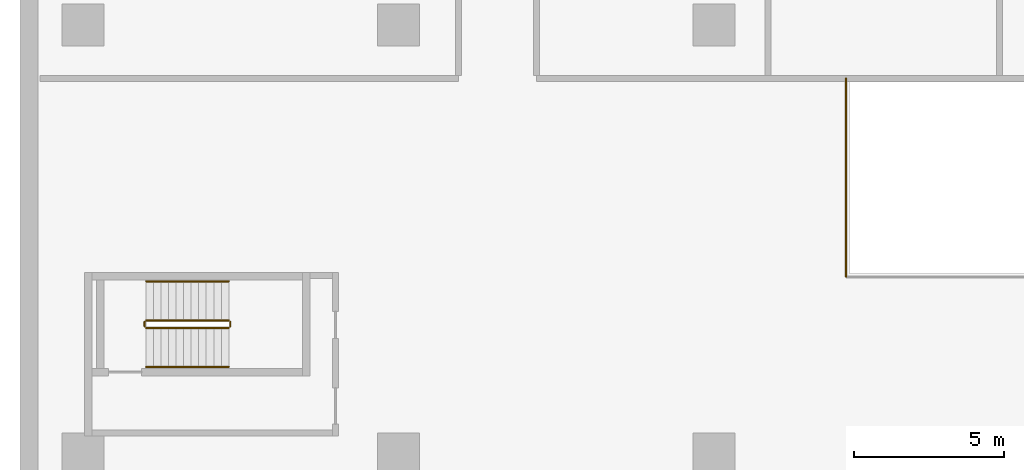
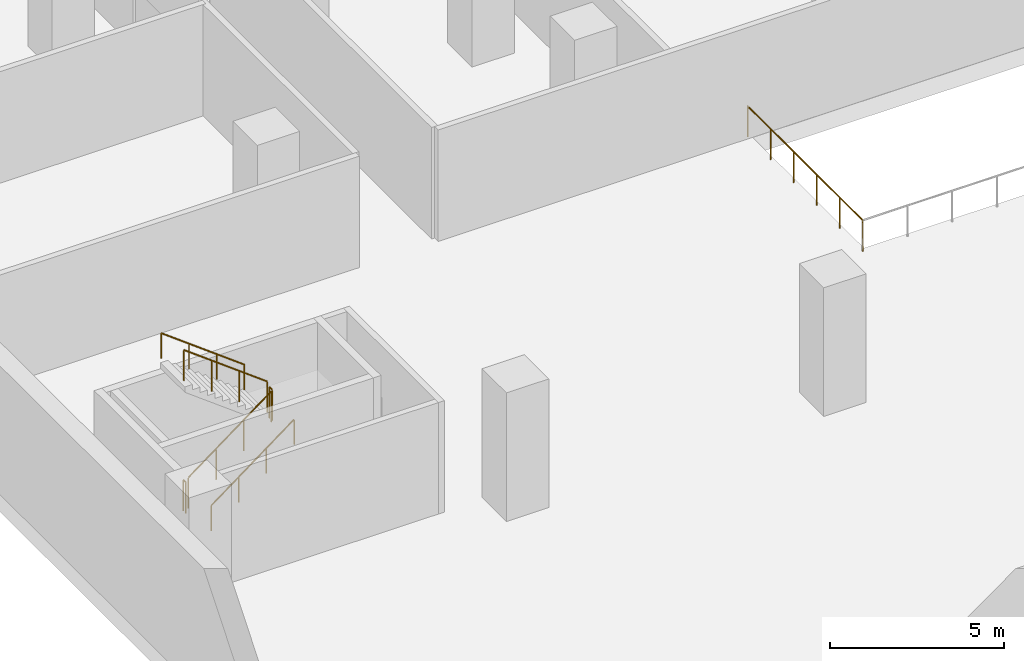
# One storey, part 11 of 12: 7 railings.
"""IFC4 building model written with IfcOpenShell, lengths in metres."""

from ifc_helpers import new_model, si_unit, direction, frame, origin, origin_2d, place, context, subcontext, project, spatial, circle, extrude, source, transform, mapped, material, type_object, element, save


model = new_model("IFC4")

# Units and contexts
model_context = context("Model", 3, precision=1e-05, world=origin(), true_north=direction((0.0, 1.0)))
body_context = subcontext(model_context, "Body", "Model", "MODEL_VIEW")
ifc_project = project(units=[si_unit("LENGTHUNIT", "METRE"), si_unit("AREAUNIT", "SQUARE_METRE"), si_unit("VOLUMEUNIT", "CUBIC_METRE"), si_unit("PLANEANGLEUNIT", "RADIAN"), si_unit("MASSUNIT", "GRAM", prefix="KILO")], contexts=[model_context])

# Site, building, storey
site_placement = place(None, origin())
site = spatial("IfcSite", under=ifc_project, at=site_placement, CompositionType="ELEMENT")
building_placement = place(site_placement, origin())
building = spatial("IfcBuilding", under=site, at=building_placement, Name="Aurelian Terraces", CompositionType="ELEMENT")
storey_placement = place(building_placement, frame((0.0, 0.0, -4.5)))
storey = spatial("IfcBuildingStorey", under=building, at=storey_placement, Name="B1", CompositionType="ELEMENT", Elevation=-4.5)

# Railings
ifc_material = material(Name="Stainless steel", Category="steel")
railing_type_1 = type_object("IfcRailingType", Name="Deck edge guard 1100", PredefinedType="GUARDRAIL", material=ifc_material)
railing_1_placement = place(storey_placement, frame((25.4, 43.7, 0.0)))
element("IfcRailing", 1, at=railing_1_placement, inside=storey, type_object=railing_type_1, Name="Deck edge guard ramp opening west", PredefinedType="GUARDRAIL", context=body_context, shape_type="SweptSolid", body=[
    extrude(circle(Radius=0.024, at=origin_2d()), frame((0.0, 0.0, 1.076), z_axis=(0.0, 1.0, 0.0), x_axis=(-1.0, 0.0, 0.0)), (0.0, 0.0, 1.0), 6.6),
    extrude(circle(Radius=0.021, at=origin_2d()), origin(), (0.0, 0.0, 1.0), 1.052),
    extrude(circle(Radius=0.021, at=origin_2d()), frame((0.0, 1.32, 0.0)), (0.0, 0.0, 1.0), 1.052),
    extrude(circle(Radius=0.021, at=origin_2d()), frame((0.0, 2.64, 0.0)), (0.0, 0.0, 1.0), 1.052),
    extrude(circle(Radius=0.021, at=origin_2d()), frame((0.0, 3.96, 0.0)), (0.0, 0.0, 1.0), 1.052),
    extrude(circle(Radius=0.021, at=origin_2d()), frame((0.0, 5.28, 0.0)), (0.0, 0.0, 1.0), 1.052),
    extrude(circle(Radius=0.021, at=origin_2d()), frame((0.0, 6.6, 0.0)), (0.0, 0.0, 1.0), 1.052),
])
railing_type_2 = type_object("IfcRailingType", Name="Stair guard 1100", PredefinedType="GUARDRAIL", material=ifc_material)
shared_shape_1 = source(origin(), body_context, "Body", "SweptSolid", [
    extrude(circle(Radius=0.024, at=origin_2d()), frame((0.0, 0.0, 1.076), z_axis=(0.0, 1.0, 0.0), x_axis=(-1.0, 0.0, 0.0)), (0.0, 0.0, 1.0), 0.15),
    extrude(circle(Radius=0.021, at=origin_2d()), origin(), (0.0, 0.0, 1.0), 1.052),
    extrude(circle(Radius=0.021, at=origin_2d()), frame((0.0, 0.15, 0.0)), (0.0, 0.0, 1.0), 1.052),
])
for number, where, name in (
    (2, (4.9, 42.05, 2.25), "B1 S3 stair guard 2"),
    (3, (2.05, 42.05, 0.0), "B1 S3 stair guard 4"),
):
    element("IfcRailing", number, at=place(storey_placement, frame(where)), inside=storey, type_object=railing_type_2, Name=name, PredefinedType="GUARDRAIL", context=body_context, shape_type="MappedRepresentation", body=[
        mapped(shared_shape_1, transform((0.0, 0.0, 0.0), scale=1.0)),
    ])
shared_shape_2 = source(origin(), body_context, "Body", "SweptSolid", [
    extrude(circle(Radius=0.024, at=origin_2d()), frame((0.0, 0.0, 1.076), z_axis=(0.8, 0.0, 0.6), x_axis=(0.0, 1.0, 0.0)), (0.0, 0.0, 1.0), 3.4375),
    extrude(circle(Radius=0.021, at=origin_2d()), origin(), (0.0, 0.0, 1.0), 1.052),
    extrude(circle(Radius=0.021, at=origin_2d()), frame((0.9167, 0.0, 0.6875)), (0.0, 0.0, 1.0), 1.052),
    extrude(circle(Radius=0.021, at=origin_2d()), frame((1.8333, 0.0, 1.375)), (0.0, 0.0, 1.0), 1.052),
    extrude(circle(Radius=0.021, at=origin_2d()), frame((2.75, 0.0, 2.0625)), (0.0, 0.0, 1.0), 1.052),
])
railing_2_placement = place(storey_placement, frame((2.1, 42.0, 0.1875)))
element("IfcRailing", 4, at=railing_2_placement, inside=storey, type_object=railing_type_2, Name="B1 S3 stair guard 1", PredefinedType="GUARDRAIL", context=body_context, shape_type="MappedRepresentation", body=[
    mapped(shared_shape_2, transform((0.0, 0.0, 0.0), scale=1.0)),
])
shared_shape_3 = source(origin(), body_context, "Body", "SweptSolid", [
    extrude(circle(Radius=0.024, at=origin_2d()), frame((0.0, 0.0, 1.076), z_axis=(-0.8, 0.0, 0.6), x_axis=(0.0, -1.0, 0.0)), (0.0, 0.0, 1.0), 3.4375),
    extrude(circle(Radius=0.021, at=origin_2d()), origin(), (0.0, 0.0, 1.0), 1.052),
    extrude(circle(Radius=0.021, at=origin_2d()), frame((-0.9167, 0.0, 0.6875)), (0.0, 0.0, 1.0), 1.052),
    extrude(circle(Radius=0.021, at=origin_2d()), frame((-1.8333, 0.0, 1.375)), (0.0, 0.0, 1.0), 1.052),
    extrude(circle(Radius=0.021, at=origin_2d()), frame((-2.75, 0.0, 2.0625)), (0.0, 0.0, 1.0), 1.052),
])
railing_3_placement = place(storey_placement, frame((4.85, 42.25, 2.4375)))
element("IfcRailing", 5, at=railing_3_placement, inside=storey, type_object=railing_type_2, Name="B1 S3 stair guard 3", PredefinedType="GUARDRAIL", context=body_context, shape_type="MappedRepresentation", body=[
    mapped(shared_shape_3, transform((0.0, 0.0, 0.0), scale=1.0)),
])
railing_type_3 = type_object("IfcRailingType", Name="Stair handrail", PredefinedType="HANDRAIL", material=ifc_material)
shared_shape_4 = source(origin(), body_context, "Body", "SweptSolid", [
    extrude(circle(Radius=0.024, at=origin_2d()), frame((0.0, 0.0, 0.876), z_axis=(0.8, 0.0, 0.6), x_axis=(0.0, 1.0, 0.0)), (0.0, 0.0, 1.0), 3.4375),
    extrude(circle(Radius=0.021, at=origin_2d()), origin(), (0.0, 0.0, 1.0), 0.852),
    extrude(circle(Radius=0.021, at=origin_2d()), frame((0.9167, 0.0, 0.6875)), (0.0, 0.0, 1.0), 0.852),
    extrude(circle(Radius=0.021, at=origin_2d()), frame((1.8333, 0.0, 1.375)), (0.0, 0.0, 1.0), 0.852),
    extrude(circle(Radius=0.021, at=origin_2d()), frame((2.75, 0.0, 2.0625)), (0.0, 0.0, 1.0), 0.852),
])
railing_4_placement = place(storey_placement, frame((2.1, 40.7, 0.1875)))
element("IfcRailing", 6, at=railing_4_placement, inside=storey, type_object=railing_type_3, Name="B1 S3 stair handrail 1", PredefinedType="HANDRAIL", context=body_context, shape_type="MappedRepresentation", body=[
    mapped(shared_shape_4, transform((0.0, 0.0, 0.0), scale=1.0)),
])
shared_shape_5 = source(origin(), body_context, "Body", "SweptSolid", [
    extrude(circle(Radius=0.024, at=origin_2d()), frame((0.0, 0.0, 0.876), z_axis=(-0.8, 0.0, 0.6), x_axis=(0.0, -1.0, 0.0)), (0.0, 0.0, 1.0), 3.4375),
    extrude(circle(Radius=0.021, at=origin_2d()), origin(), (0.0, 0.0, 1.0), 0.852),
    extrude(circle(Radius=0.021, at=origin_2d()), frame((-0.9167, 0.0, 0.6875)), (0.0, 0.0, 1.0), 0.852),
    extrude(circle(Radius=0.021, at=origin_2d()), frame((-1.8333, 0.0, 1.375)), (0.0, 0.0, 1.0), 0.852),
    extrude(circle(Radius=0.021, at=origin_2d()), frame((-2.75, 0.0, 2.0625)), (0.0, 0.0, 1.0), 0.852),
])
railing_5_placement = place(storey_placement, frame((4.85, 43.55, 2.4375)))
element("IfcRailing", 7, at=railing_5_placement, inside=storey, type_object=railing_type_3, Name="B1 S3 stair handrail 2", PredefinedType="HANDRAIL", context=body_context, shape_type="MappedRepresentation", body=[
    mapped(shared_shape_5, transform((0.0, 0.0, 0.0), scale=1.0)),
])

save(model, "model.ifc")
